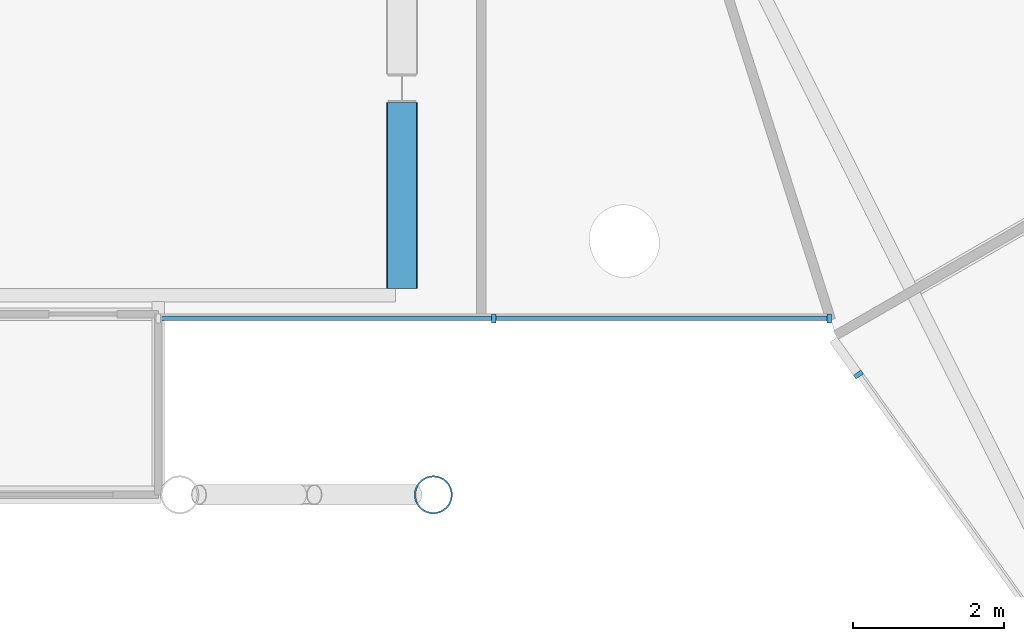
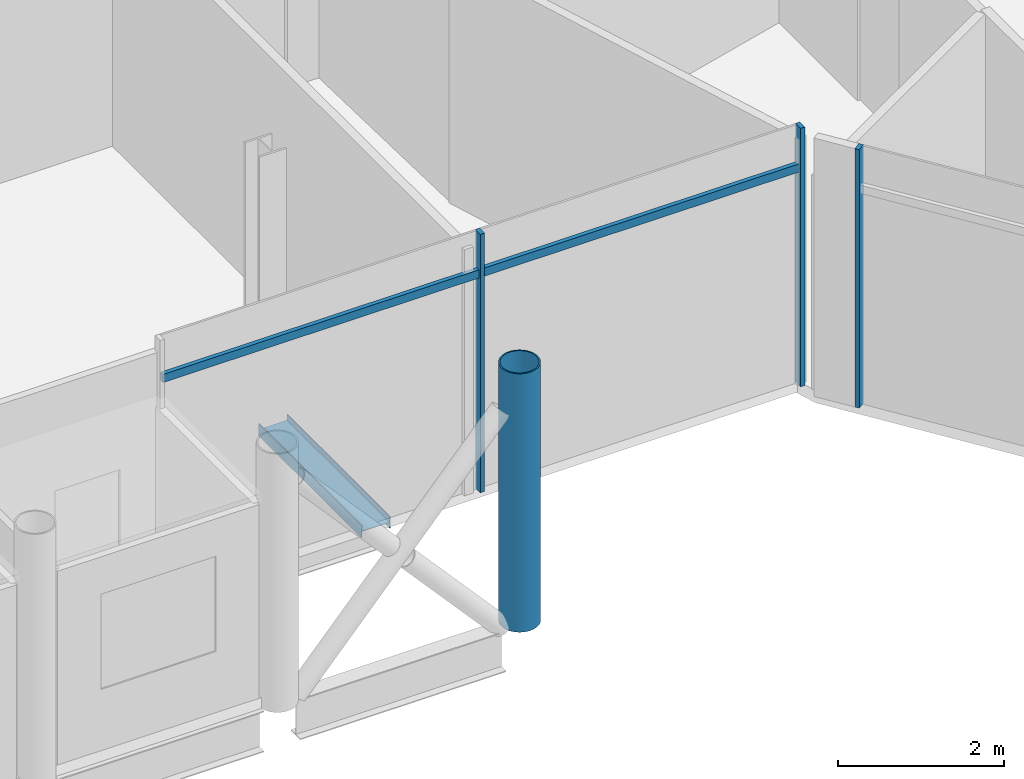
# One storey, part 7 of 39: 6 members, 1 beam, 2 elements without a shape of their own.
"""IFC4 building model written with IfcOpenShell, lengths in metres."""

from ifc_helpers import new_model, si_unit, direction, frame, origin, origin_2d, place, context, subcontext, project, spatial, rectangle, hollow_circle, i_section, extrude, material, material_profile, profile_set, type_object, element, aggregate, save


model = new_model("IFC4")

# Units and contexts
model_context = context("Model", 3, precision=1e-05, world=origin(), true_north=direction((0.0, 1.0)))
body_context = subcontext(model_context, "Body", "Model", "MODEL_VIEW")
ifc_project = project(units=[si_unit("LENGTHUNIT", "METRE"), si_unit("AREAUNIT", "SQUARE_METRE"), si_unit("VOLUMEUNIT", "CUBIC_METRE"), si_unit("PLANEANGLEUNIT", "RADIAN"), si_unit("MASSUNIT", "GRAM", prefix="KILO")], contexts=[model_context])

# Site, building, storey
site_placement = place(None, origin())
site = spatial("IfcSite", under=ifc_project, at=site_placement, CompositionType="ELEMENT")
building_placement = place(site_placement, origin())
building = spatial("IfcBuilding", under=site, at=building_placement, Name="Rimbun Link Towers", CompositionType="ELEMENT")
storey_placement = place(building_placement, frame((0.0, 0.0, 139.199951171875)))
storey = spatial("IfcBuildingStorey", under=building, at=storey_placement, Name="L33", CompositionType="ELEMENT", Elevation=139.199951171875)

# Curtain wall, member
ifc_material_1 = material(Name="Aluminium 6063-T6 and low-iron glass", Category="aluminium")
curtain_wall_type = type_object("IfcCurtainWallType", Name="CW4 link block wall", PredefinedType="NOTDEFINED", material=ifc_material_1)
curtain_wall_1_placement = place(storey_placement, origin())
curtain_wall_1 = element("IfcCurtainWall", 1, at=curtain_wall_1_placement, inside=storey, type_object=curtain_wall_type, Name="CW4 L33 T2", PredefinedType="NOTDEFINED")
ifc_material_2 = material(Name="Aluminium 6063-T6", Category="aluminium")
ifc_material_profile_1 = material_profile(ifc_material_2, rectangle(XDim=0.1201171875, YDim=0.06005859375, at=origin_2d()), Name="MULLION 60X120")
ifc_profile_set_1 = profile_set([ifc_material_profile_1], Name="Aluminium 6063-T6")
member_type_1 = type_object("IfcMemberType", Name="CW4 mullion 60X120", PredefinedType="MULLION", material=ifc_profile_set_1)
member_1_placement = place(storey_placement, frame((12.51171875, -11.803466796875, 0.0), z_axis=(0.0, 0.0, 1.0), x_axis=(-0.81246534364, -0.58300948996, 0.0)))
member_1 = element("IfcMember", 2, at=member_1_placement, type_object=member_type_1, Name="CW4 mullion", PredefinedType="MULLION", context=body_context, shape_type="SweptSolid", body=[
    extrude(rectangle(XDim=0.1201171875, YDim=0.06005859375, at=origin_2d()), origin(), (0.0, 0.0, 1.0), 3.800048828125),
])
aggregate(curtain_wall_1, [member_1])

# Curtain wall, members
curtain_wall_2_placement = place(storey_placement, origin())
curtain_wall_2 = element("IfcCurtainWall", 3, at=curtain_wall_2_placement, inside=storey, type_object=curtain_wall_type, Name="CW4 L33 LB", PredefinedType="NOTDEFINED")
member_2_placement = place(storey_placement, frame((12.121337890625, -11.06005859375, 0.0), z_axis=(0.0, 0.0, 1.0), x_axis=(0.0, -1.0, 0.0)))
member_2 = element("IfcMember", 4, at=member_2_placement, type_object=member_type_1, Name="CW4 mullion", PredefinedType="MULLION", context=body_context, shape_type="SweptSolid", body=[
    extrude(rectangle(XDim=0.1201171875, YDim=0.06005859375, at=origin_2d()), origin(), (0.0, 0.0, 1.0), 3.800048828125),
])
member_3_placement = place(storey_placement, frame((7.667236328125, -11.06005859375, 0.0), z_axis=(0.0, 0.0, 1.0), x_axis=(0.0, -1.0, 0.0)))
member_3 = element("IfcMember", 5, at=member_3_placement, type_object=member_type_1, Name="CW4 mullion", PredefinedType="MULLION", context=body_context, shape_type="SweptSolid", body=[
    extrude(rectangle(XDim=0.1201171875, YDim=0.06005859375, at=origin_2d()), origin(), (0.0, 0.0, 1.0), 3.800048828125),
])
ifc_material_3 = material(Name="Aluminium 6063-T6", Category="aluminium")
ifc_material_profile_2 = material_profile(ifc_material_3, rectangle(XDim=0.06005859375, YDim=0.1201171875, at=origin_2d()), Name="TRANSOM 60X120")
ifc_profile_set_2 = profile_set([ifc_material_profile_2], Name="Aluminium 6063-T6")
member_type_2 = type_object("IfcMemberType", Name="CW4 transom 60X120", PredefinedType="USERDEFINED", material=ifc_profile_set_2)
member_4_placement = place(storey_placement, frame((12.09130859375, -11.05810546875, 3.199951171875), z_axis=(-1.0, 0.0, 0.0), x_axis=(0.0, -1.0, 0.0)))
member_4 = element("IfcMember", 6, at=member_4_placement, type_object=member_type_2, Name="CW4 transom", ObjectType="TRANSOM", PredefinedType="USERDEFINED", context=body_context, shape_type="SweptSolid", body=[
    extrude(rectangle(XDim=0.06005859375, YDim=0.1201171875, at=origin_2d()), origin(), (0.0, 0.0, 1.0), 4.39404296875),
])
member_5_placement = place(storey_placement, frame((7.63720703125, -11.05810546875, 3.199951171875), z_axis=(-1.0, 0.0, 0.0), x_axis=(0.0, -1.0, 0.0)))
member_5 = element("IfcMember", 7, at=member_5_placement, type_object=member_type_2, Name="CW4 transom", ObjectType="TRANSOM", PredefinedType="USERDEFINED", context=body_context, shape_type="SweptSolid", body=[
    extrude(rectangle(XDim=0.06005859375, YDim=0.1201171875, at=origin_2d()), origin(), (0.0, 0.0, 1.0), 4.393798828125),
])
aggregate(curtain_wall_2, [member_2, member_3, member_4, member_5])

# Beam
ifc_material_4 = material(Name="Steel S355J2", Category="steel")
ifc_material_profile_3 = material_profile(ifc_material_4, i_section(OverallWidth=0.177978515625, OverallDepth=0.406494140625, WebThickness=0.0078125, FlangeThickness=0.0126953125, at=origin_2d()), Name="UKB 406x178x60")
ifc_profile_set_3 = profile_set([ifc_material_profile_3], Name="Steel S355J2")
beam_type = type_object("IfcBeamType", Name="Link floor beam UKB 406x178x60", PredefinedType="BEAM", material=ifc_profile_set_3)
beam_placement = place(storey_placement, frame((6.449951171875, -10.660888671875, -0.363037109375), z_axis=(0.0, 1.0, 0.0), x_axis=(0.0, 0.0, 1.0)))
element("IfcBeam", 8, at=beam_placement, inside=storey, type_object=beam_type, Name="Link floor beam L33 08", PredefinedType="BEAM", context=body_context, shape_type="SweptSolid", body=[
    extrude(i_section(OverallWidth=0.177978515625, OverallDepth=0.406494140625, WebThickness=0.0078125, FlangeThickness=0.0126953125, at=origin_2d()), origin(), (0.0, 0.0, 1.0), 2.473388671875),
])

# Member
ifc_material_5 = material(Name="Steel S355J2H", Category="steel")
ifc_material_profile_4 = material_profile(ifc_material_5, hollow_circle(Radius=0.25390625, WallThickness=0.02001953125, at=origin_2d()), Name="CHS 508x20")
ifc_profile_set_4 = profile_set([ifc_material_profile_4], Name="Steel S355J2H")
member_type_3 = type_object("IfcMemberType", Name="Link megaframe post CHS 508x20", PredefinedType="POST", material=ifc_profile_set_4)
member_6_placement = place(storey_placement, frame((6.86669921875, -13.39990234375, -0.219970703125), z_axis=(0.0, 0.0, 1.0), x_axis=(1.0, 0.0, 0.0)))
element("IfcMember", 9, at=member_6_placement, inside=storey, type_object=member_type_3, Name="Link megaframe post S5 bay 2", PredefinedType="POST", context=body_context, shape_type="SweptSolid", body=[
    extrude(hollow_circle(Radius=0.25390625, WallThickness=0.02001953125, at=origin_2d()), origin(), (0.0, 0.0, 1.0), 3.800048828125),
])

save(model, "model.ifc")
